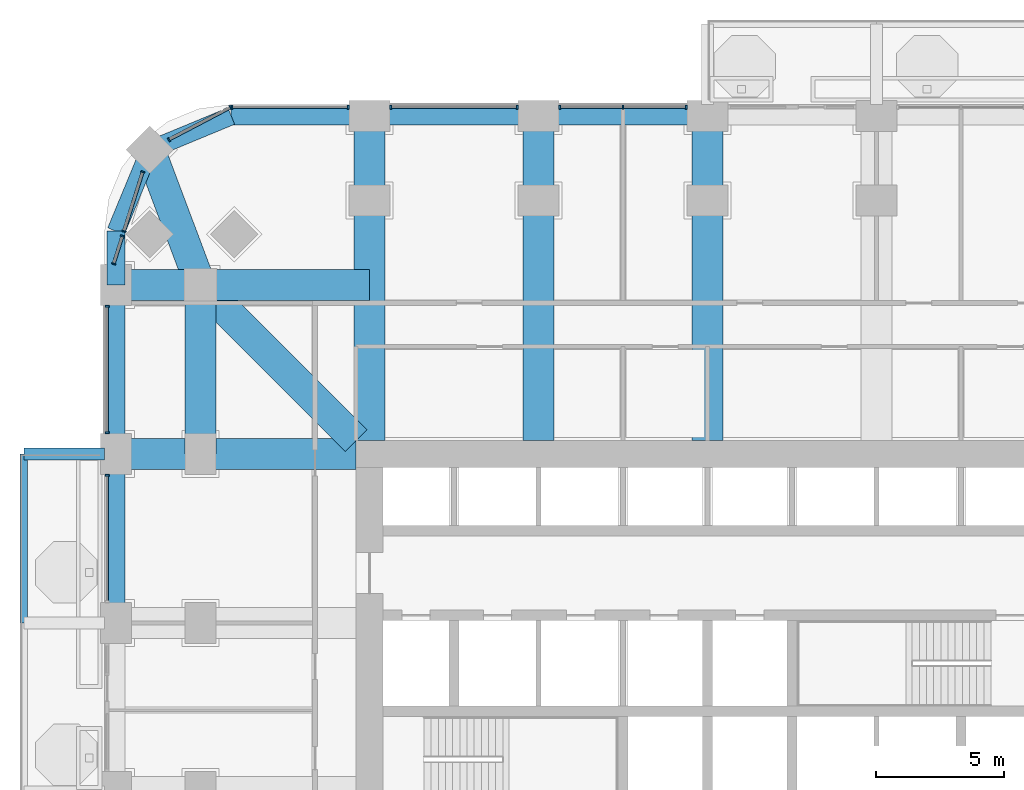
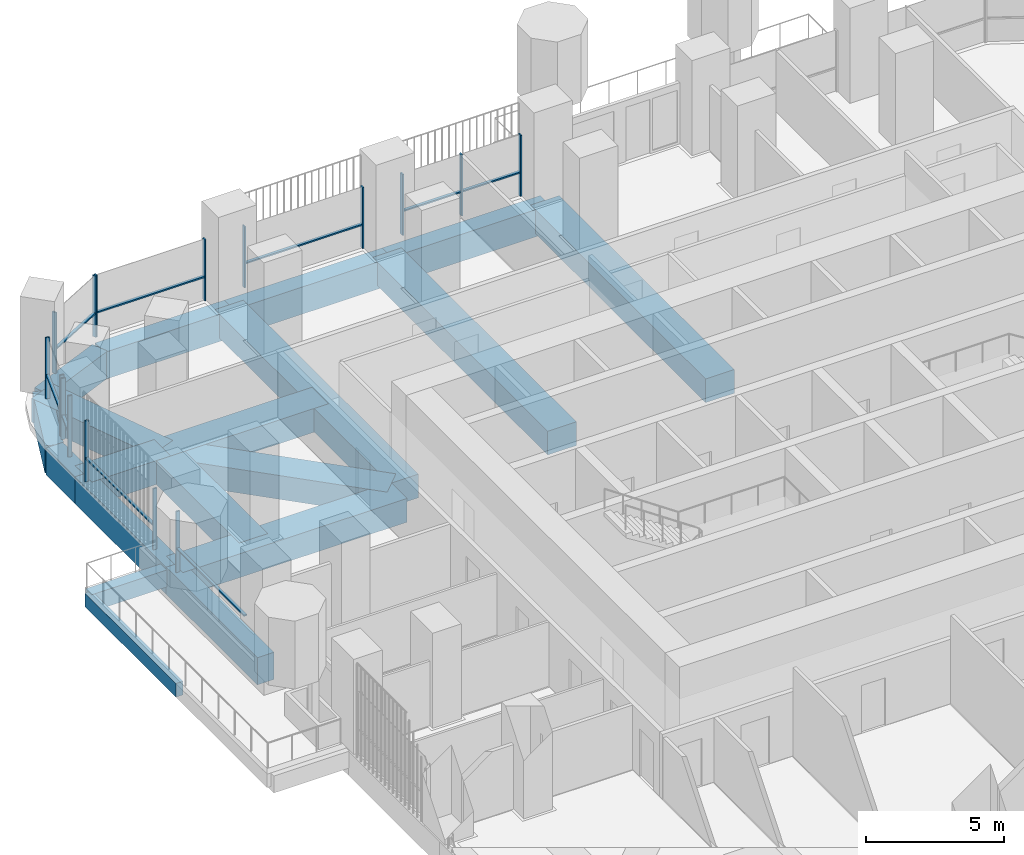
# One storey, part 6 of 22: 25 members, 19 beams, 8 elements without a shape of their own.
"""IFC4 building model written with IfcOpenShell, lengths in metres."""

from ifc_helpers import new_model, si_unit, direction, frame, origin, origin_2d, place, context, subcontext, project, spatial, rectangle, extrude, material, material_profile, profile_set, type_object, element, aggregate, save


model = new_model("IFC4")

# Units and contexts
model_context = context("Model", 3, precision=1e-05, world=origin(), true_north=direction((0.0, 1.0)))
body_context = subcontext(model_context, "Body", "Model", "MODEL_VIEW")
ifc_project = project(units=[si_unit("LENGTHUNIT", "METRE"), si_unit("AREAUNIT", "SQUARE_METRE"), si_unit("VOLUMEUNIT", "CUBIC_METRE"), si_unit("PLANEANGLEUNIT", "RADIAN"), si_unit("MASSUNIT", "GRAM", prefix="KILO")], contexts=[model_context])

# Site, building, storey
site_placement = place(None, origin())
site = spatial("IfcSite", under=ifc_project, at=site_placement, CompositionType="ELEMENT")
building_placement = place(site_placement, origin())
building = spatial("IfcBuilding", under=site, at=building_placement, Name="Cobogo Forest Laboratory Tower", CompositionType="ELEMENT")
storey_placement = place(building_placement, frame((0.0, 0.0, 94.800048828125)))
storey = spatial("IfcBuildingStorey", under=building, at=storey_placement, Name="L21", CompositionType="ELEMENT", Elevation=94.800048828125)

# Beams
ifc_material_1 = material(Name="Concrete HA-40 (C40/50)", Category="concrete")
ifc_material_profile_1 = material_profile(ifc_material_1, rectangle(XDim=0.449951171875, YDim=0.75, at=origin_2d()), Name="RC 450x750")
ifc_profile_set_1 = profile_set([ifc_material_profile_1], Name="Concrete HA-40 (C40/50)")
beam_type_1 = type_object("IfcBeamType", Name="Balcony cantilever beam 450x750", PredefinedType="BEAM", material=ifc_profile_set_1)
beam_1_placement = place(storey_placement, frame((2.85009765625, 33.0, -0.625), z_axis=(-1.0, 0.0, 0.0), x_axis=(0.0, -1.0, 0.0)))
element("IfcBeam", 1, at=beam_1_placement, inside=storey, type_object=beam_type_1, Name="CB1 BAL-W1-C3 L21", PredefinedType="BEAM", context=body_context, shape_type="SweptSolid", body=[
    extrude(rectangle(XDim=0.449951171875, YDim=0.75, at=origin_2d()), origin(), (0.0, 0.0, 1.0), 3.150146484375),
])
ifc_material_profile_2 = material_profile(ifc_material_1, rectangle(XDim=0.300048828125, YDim=0.60009765625, at=origin_2d()), Name="RC 300x600")
ifc_profile_set_2 = profile_set([ifc_material_profile_2], Name="Concrete HA-40 (C40/50)")
beam_type_2 = type_object("IfcBeamType", Name="Balcony edge beam 300x600", PredefinedType="BEAM", material=ifc_profile_set_2)
beam_2_placement = place(storey_placement, frame((-0.300048828125, 26.39990234375, -0.550048828125), z_axis=(0.0, 1.0, 0.0), x_axis=(-1.0, 0.0, 0.0)))
element("IfcBeam", 2, at=beam_2_placement, inside=storey, type_object=beam_type_2, Name="BB1 BAL-W1-T2 L21", PredefinedType="BEAM", context=body_context, shape_type="SweptSolid", body=[
    extrude(rectangle(XDim=0.300048828125, YDim=0.60009765625, at=origin_2d()), origin(), (0.0, 0.0, 1.0), 6.60009765625),
])
ifc_material_profile_3 = material_profile(ifc_material_1, rectangle(XDim=1.199951171875, YDim=1.050048828125, at=origin_2d()), Name="RC 1200x1050")
ifc_profile_set_3 = profile_set([ifc_material_profile_3], Name="Concrete HA-40 (C40/50)")
beam_type_3 = type_object("IfcBeamType", Name="Laboratory floor wide beam 1200x1050", PredefinedType="BEAM", material=ifc_profile_set_3)
for number, where, z_axis, x_axis, name in (
    (3, (13.199951171875, 33.52490234375, -0.824951171875), (0.0, 1.0, 0.0), (-1.0, 0.0, 0.0), "RB1 R-3-N L21"),
    (4, (19.800048828125, 33.52490234375, -0.824951171875), (0.0, 1.0, 0.0), (-1.0, 0.0, 0.0), "RB1 R-4-N L21"),
    (5, (26.39990234375, 33.52490234375, -0.824951171875), (0.0, 1.0, 0.0), (-1.0, 0.0, 0.0), "RB1 R-5-N L21"),
):
    element("IfcBeam", number, at=place(storey_placement, frame(where, z_axis=z_axis, x_axis=x_axis)), inside=storey, type_object=beam_type_3, Name=name, PredefinedType="BEAM", context=body_context, shape_type="SweptSolid", body=[
        extrude(rectangle(XDim=1.199951171875, YDim=1.050048828125, at=origin_2d()), origin(), (0.0, 0.0, 1.0), 12.675048828125),
    ])
beam_3_placement = place(storey_placement, frame((12.675048828125, 33.0, -0.824951171875), z_axis=(-1.0, 0.0, 0.0), x_axis=(0.0, -1.0, 0.0)))
element("IfcBeam", 6, at=beam_3_placement, inside=storey, type_object=beam_type_3, Name="RB1 R-F-W L21", PredefinedType="BEAM", context=body_context, shape_type="SweptSolid", body=[
    extrude(rectangle(XDim=1.199951171875, YDim=1.050048828125, at=origin_2d()), origin(), (0.0, 0.0, 1.0), 9.375),
])
beam_4_placement = place(storey_placement, frame((6.60009765625, 39.60009765625, -0.824951171875), z_axis=(0.0, -1.0, 0.0), x_axis=(1.0, 0.0, 0.0)))
element("IfcBeam", 7, at=beam_4_placement, inside=storey, type_object=beam_type_3, Name="RB1 G-NW-XC L21", PredefinedType="BEAM", context=body_context, shape_type="SweptSolid", body=[
    extrude(rectangle(XDim=1.199951171875, YDim=1.050048828125, at=origin_2d()), origin(), (0.0, 0.0, 1.0), 6.60009765625),
])
beam_5_placement = place(storey_placement, frame((3.300048828125, 39.60009765625, -0.824951171875), z_axis=(1.0, 0.0, 0.0), x_axis=(0.0, 1.0, 0.0)))
element("IfcBeam", 8, at=beam_5_placement, inside=storey, type_object=beam_type_3, Name="RB1 G-NW-YF L21", PredefinedType="BEAM", context=body_context, shape_type="SweptSolid", body=[
    extrude(rectangle(XDim=1.199951171875, YDim=1.050048828125, at=origin_2d()), origin(), (0.0, 0.0, 1.0), 3.300048828125),
])
beam_6_placement = place(storey_placement, frame((6.60009765625, 39.60009765625, -0.824951171875), z_axis=(1.0, 0.0, 0.0), x_axis=(0.0, 1.0, 0.0)))
element("IfcBeam", 9, at=beam_6_placement, inside=storey, type_object=beam_type_3, Name="RB1 G-NW-YC L21", PredefinedType="BEAM", context=body_context, shape_type="SweptSolid", body=[
    extrude(rectangle(XDim=1.199951171875, YDim=1.050048828125, at=origin_2d()), origin(), (0.0, 0.0, 1.0), 6.599853515625),
])
beam_7_placement = place(storey_placement, frame((4.617919921875, 44.882080078125, -0.824951171875), z_axis=(0.351346325373, -0.936245565889, 0.0), x_axis=(0.936245565889, 0.351346325373, 0.0)))
element("IfcBeam", 10, at=beam_7_placement, inside=storey, type_object=beam_type_3, Name="RB1 G-NW-D1 L21", PredefinedType="BEAM", context=body_context, shape_type="SweptSolid", body=[
    extrude(rectangle(XDim=1.199951171875, YDim=1.050048828125, at=origin_2d()), origin(), (0.0, 0.0, 1.0), 5.6416015625),
])
beam_8_placement = place(storey_placement, frame((6.60009765625, 39.60009765625, -0.824951171875), z_axis=(0.707092572697, -0.70712098939, 0.0), x_axis=(0.70712098939, 0.707092572697, 0.0)))
element("IfcBeam", 11, at=beam_8_placement, inside=storey, type_object=beam_type_3, Name="RB1 G-NW-D2 L21", PredefinedType="BEAM", context=body_context, shape_type="SweptSolid", body=[
    extrude(rectangle(XDim=1.199951171875, YDim=1.050048828125, at=origin_2d()), origin(), (0.0, 0.0, 1.0), 8.591552734375),
])

# Curtain wall, members
ifc_material_2 = material(Name="Aluminium curtain wall", Category="aluminium")
curtain_wall_type = type_object("IfcCurtainWallType", Name="CW-1 unitised curtain wall, clear glazing, laboratory floors zones A and B", PredefinedType="USERDEFINED", material=ifc_material_2)
curtain_wall_1_placement = place(storey_placement, origin())
curtain_wall_1 = element("IfcCurtainWall", 12, at=curtain_wall_1_placement, inside=storey, type_object=curtain_wall_type, Name="Curtain wall 21 L21", ObjectType="UNITISED CURTAIN WALL", PredefinedType="USERDEFINED")
ifc_material_3 = material(Name="Aluminium mullion", Category="aluminium")
ifc_material_profile_4 = material_profile(ifc_material_3, rectangle(XDim=0.06005859375, YDim=0.159912109375, at=origin_2d()), Name="AL 60x160")
ifc_profile_set_4 = profile_set([ifc_material_profile_4], Name="Aluminium mullion")
member_type_1 = type_object("IfcMemberType", Name="MU-1 aluminium mullion 60x160", PredefinedType="MULLION", material=ifc_profile_set_4)
member_1_placement = place(storey_placement, frame((25.570068359375, 46.550048828125, 0.0), z_axis=(0.0, 0.0, 1.0), x_axis=(-1.0, 0.0, 0.0)))
member_1 = element("IfcMember", 13, at=member_1_placement, type_object=member_type_1, Name="CW-1 mullion 1", PredefinedType="MULLION", context=body_context, shape_type="SweptSolid", body=[
    extrude(rectangle(XDim=0.06005859375, YDim=0.159912109375, at=origin_2d()), origin(), (0.0, 0.0, 1.0), 2.699951171875),
])
member_2_placement = place(storey_placement, frame((23.10009765625, 46.550048828125, 0.0), z_axis=(0.0, 0.0, 1.0), x_axis=(-1.0, 0.0, 0.0)))
member_2 = element("IfcMember", 14, at=member_2_placement, type_object=member_type_1, Name="CW-1 mullion 2", PredefinedType="MULLION", context=body_context, shape_type="SweptSolid", body=[
    extrude(rectangle(XDim=0.06005859375, YDim=0.159912109375, at=origin_2d()), origin(), (0.0, 0.0, 1.0), 2.699951171875),
])
member_3_placement = place(storey_placement, frame((20.6298828125, 46.550048828125, 0.0), z_axis=(0.0, 0.0, 1.0), x_axis=(-1.0, 0.0, 0.0)))
member_3 = element("IfcMember", 15, at=member_3_placement, type_object=member_type_1, Name="CW-1 mullion 3", PredefinedType="MULLION", context=body_context, shape_type="SweptSolid", body=[
    extrude(rectangle(XDim=0.06005859375, YDim=0.159912109375, at=origin_2d()), origin(), (0.0, 0.0, 1.0), 2.699951171875),
])

curtain_wall_2_placement = place(storey_placement, origin())
curtain_wall_2 = element("IfcCurtainWall", 16, at=curtain_wall_2_placement, inside=storey, type_object=curtain_wall_type, Name="Curtain wall 22 L21", ObjectType="UNITISED CURTAIN WALL", PredefinedType="USERDEFINED")
member_4_placement = place(storey_placement, frame((18.969970703125, 46.550048828125, 0.0), z_axis=(0.0, 0.0, 1.0), x_axis=(-1.0, 0.0, 0.0)))
member_4 = element("IfcMember", 17, at=member_4_placement, type_object=member_type_1, Name="CW-1 mullion 1", PredefinedType="MULLION", context=body_context, shape_type="SweptSolid", body=[
    extrude(rectangle(XDim=0.06005859375, YDim=0.159912109375, at=origin_2d()), origin(), (0.0, 0.0, 1.0), 2.699951171875),
])
member_5_placement = place(storey_placement, frame((14.030029296875, 46.550048828125, 0.0), z_axis=(0.0, 0.0, 1.0), x_axis=(-1.0, 0.0, 0.0)))
member_5 = element("IfcMember", 18, at=member_5_placement, type_object=member_type_1, Name="CW-1 mullion 2", PredefinedType="MULLION", context=body_context, shape_type="SweptSolid", body=[
    extrude(rectangle(XDim=0.06005859375, YDim=0.159912109375, at=origin_2d()), origin(), (0.0, 0.0, 1.0), 2.699951171875),
])

curtain_wall_3_placement = place(storey_placement, origin())
curtain_wall_3 = element("IfcCurtainWall", 19, at=curtain_wall_3_placement, inside=storey, type_object=curtain_wall_type, Name="Curtain wall 23 L21", ObjectType="UNITISED CURTAIN WALL", PredefinedType="USERDEFINED")
member_6_placement = place(storey_placement, frame((12.3701171875, 46.550048828125, 0.0), z_axis=(0.0, 0.0, 1.0), x_axis=(-1.0, 0.0, 0.0)))
member_6 = element("IfcMember", 20, at=member_6_placement, type_object=member_type_1, Name="CW-1 mullion 1", PredefinedType="MULLION", context=body_context, shape_type="SweptSolid", body=[
    extrude(rectangle(XDim=0.06005859375, YDim=0.159912109375, at=origin_2d()), origin(), (0.0, 0.0, 1.0), 2.699951171875),
])
member_7_placement = place(storey_placement, frame((7.830078125, 46.550048828125, 0.0), z_axis=(0.0, 0.0, 1.0), x_axis=(-1.0, 0.0, 0.0)))
member_7 = element("IfcMember", 21, at=member_7_placement, type_object=member_type_1, Name="CW-1 mullion 2", PredefinedType="MULLION", context=body_context, shape_type="SweptSolid", body=[
    extrude(rectangle(XDim=0.06005859375, YDim=0.159912109375, at=origin_2d()), origin(), (0.0, 0.0, 1.0), 2.699951171875),
])

curtain_wall_4_placement = place(storey_placement, origin())
curtain_wall_4 = element("IfcCurtainWall", 22, at=curtain_wall_4_placement, inside=storey, type_object=curtain_wall_type, Name="Curtain wall 24 L21", ObjectType="UNITISED CURTAIN WALL", PredefinedType="USERDEFINED")
member_8_placement = place(storey_placement, frame((7.7734375, 46.5361328125, 0.0), z_axis=(0.0, 0.0, 1.0), x_axis=(-0.885686547075, -0.464283685186, 0.0)))
member_8 = element("IfcMember", 23, at=member_8_placement, type_object=member_type_1, Name="CW-1 mullion 1", PredefinedType="MULLION", context=body_context, shape_type="SweptSolid", body=[
    extrude(rectangle(XDim=0.06005859375, YDim=0.159912109375, at=origin_2d()), origin(), (0.0, 0.0, 1.0), 2.699951171875),
])
member_9_placement = place(storey_placement, frame((5.368408203125, 45.275390625, 0.0), z_axis=(0.0, 0.0, 1.0), x_axis=(-0.885686547075, -0.464283685186, 0.0)))
member_9 = element("IfcMember", 24, at=member_9_placement, type_object=member_type_1, Name="CW-1 mullion 2", PredefinedType="MULLION", context=body_context, shape_type="SweptSolid", body=[
    extrude(rectangle(XDim=0.06005859375, YDim=0.159912109375, at=origin_2d()), origin(), (0.0, 0.0, 1.0), 2.699951171875),
])

curtain_wall_5_placement = place(storey_placement, origin())
curtain_wall_5 = element("IfcCurtainWall", 25, at=curtain_wall_5_placement, inside=storey, type_object=curtain_wall_type, Name="Curtain wall 25 L21", ObjectType="UNITISED CURTAIN WALL", PredefinedType="USERDEFINED")
member_10_placement = place(storey_placement, frame((4.34423828125, 44.01513671875, 0.0), z_axis=(0.0, 0.0, 1.0), x_axis=(-0.301135291996, -0.953581425949, 0.0)))
member_10 = element("IfcMember", 26, at=member_10_placement, type_object=member_type_1, Name="CW-1 mullion 1", PredefinedType="MULLION", context=body_context, shape_type="SweptSolid", body=[
    extrude(rectangle(XDim=0.06005859375, YDim=0.159912109375, at=origin_2d()), origin(), (0.0, 0.0, 1.0), 2.699951171875),
])
member_11_placement = place(storey_placement, frame((3.613037109375, 41.69970703125, 0.0), z_axis=(0.0, 0.0, 1.0), x_axis=(-0.301135291996, -0.953581425949, 0.0)))
member_11 = element("IfcMember", 27, at=member_11_placement, type_object=member_type_1, Name="CW-1 mullion 2", PredefinedType="MULLION", context=body_context, shape_type="SweptSolid", body=[
    extrude(rectangle(XDim=0.06005859375, YDim=0.159912109375, at=origin_2d()), origin(), (0.0, 0.0, 1.0), 2.699951171875),
])

curtain_wall_6_placement = place(storey_placement, origin())
curtain_wall_6 = element("IfcCurtainWall", 28, at=curtain_wall_6_placement, inside=storey, type_object=curtain_wall_type, Name="Curtain wall 26 L21", ObjectType="UNITISED CURTAIN WALL", PredefinedType="USERDEFINED")
member_12_placement = place(storey_placement, frame((3.55224609375, 41.507080078125, 0.0), z_axis=(0.0, 0.0, 1.0), x_axis=(-0.301135667865, -0.953581307252, 0.0)))
member_12 = element("IfcMember", 29, at=member_12_placement, type_object=member_type_1, Name="CW-1 mullion 1", PredefinedType="MULLION", context=body_context, shape_type="SweptSolid", body=[
    extrude(rectangle(XDim=0.06005859375, YDim=0.159912109375, at=origin_2d()), origin(), (0.0, 0.0, 1.0), 2.699951171875),
])
member_13_placement = place(storey_placement, frame((3.211669921875, 40.4287109375, 0.0), z_axis=(0.0, 0.0, 1.0), x_axis=(-0.301135667865, -0.953581307252, 0.0)))
member_13 = element("IfcMember", 30, at=member_13_placement, type_object=member_type_1, Name="CW-1 mullion 2", PredefinedType="MULLION", context=body_context, shape_type="SweptSolid", body=[
    extrude(rectangle(XDim=0.06005859375, YDim=0.159912109375, at=origin_2d()), origin(), (0.0, 0.0, 1.0), 2.699951171875),
])

curtain_wall_7_placement = place(storey_placement, origin())
curtain_wall_7 = element("IfcCurtainWall", 31, at=curtain_wall_7_placement, inside=storey, type_object=curtain_wall_type, Name="Curtain wall 27 L21", ObjectType="UNITISED CURTAIN WALL", PredefinedType="USERDEFINED")
member_14_placement = place(storey_placement, frame((2.949951171875, 38.77001953125, 0.0), z_axis=(0.0, 0.0, 1.0), x_axis=(0.0, -1.0, 0.0)))
member_14 = element("IfcMember", 32, at=member_14_placement, type_object=member_type_1, Name="CW-1 mullion 1", PredefinedType="MULLION", context=body_context, shape_type="SweptSolid", body=[
    extrude(rectangle(XDim=0.06005859375, YDim=0.159912109375, at=origin_2d()), origin(), (0.0, 0.0, 1.0), 2.699951171875),
])
member_15_placement = place(storey_placement, frame((2.949951171875, 33.830078125, 0.0), z_axis=(0.0, 0.0, 1.0), x_axis=(0.0, -1.0, 0.0)))
member_15 = element("IfcMember", 33, at=member_15_placement, type_object=member_type_1, Name="CW-1 mullion 2", PredefinedType="MULLION", context=body_context, shape_type="SweptSolid", body=[
    extrude(rectangle(XDim=0.06005859375, YDim=0.159912109375, at=origin_2d()), origin(), (0.0, 0.0, 1.0), 2.699951171875),
])

# Curtain wall, member
curtain_wall_8_placement = place(storey_placement, origin())
curtain_wall_8 = element("IfcCurtainWall", 34, at=curtain_wall_8_placement, inside=storey, type_object=curtain_wall_type, Name="Curtain wall 28 L21", ObjectType="UNITISED CURTAIN WALL", PredefinedType="USERDEFINED")
member_16_placement = place(storey_placement, frame((2.949951171875, 32.169921875, 0.0), z_axis=(0.0, 0.0, 1.0), x_axis=(0.0, -1.0, 0.0)))
member_16 = element("IfcMember", 35, at=member_16_placement, type_object=member_type_1, Name="CW-1 mullion 1", PredefinedType="MULLION", context=body_context, shape_type="SweptSolid", body=[
    extrude(rectangle(XDim=0.06005859375, YDim=0.159912109375, at=origin_2d()), origin(), (0.0, 0.0, 1.0), 2.699951171875),
])

# Beams
ifc_material_profile_5 = material_profile(ifc_material_1, rectangle(XDim=0.699951171875, YDim=1.199951171875, at=origin_2d()), Name="RC 700x1200")
ifc_profile_set_5 = profile_set([ifc_material_profile_5], Name="Concrete HA-40 (C40/50)")
beam_type_4 = type_object("IfcBeamType", Name="Perimeter edge beam 700x1200", PredefinedType="BEAM", material=ifc_profile_set_5)
beam_9_placement = place(storey_placement, frame((13.199951171875, 46.199951171875, -0.900146484375), z_axis=(1.0, 0.0, 0.0), x_axis=(0.0, 1.0, 0.0)))
element("IfcBeam", 36, at=beam_9_placement, inside=storey, type_object=beam_type_4, Name="EB1 E-N1 L21", PredefinedType="BEAM", context=body_context, shape_type="SweptSolid", body=[
    extrude(rectangle(XDim=0.699951171875, YDim=1.199951171875, at=origin_2d()), origin(), (0.0, 0.0, 1.0), 6.60009765625),
])
beam_10_placement = place(storey_placement, frame((19.800048828125, 46.199951171875, -0.900146484375), z_axis=(1.0, 0.0, 0.0), x_axis=(0.0, 1.0, 0.0)))
element("IfcBeam", 37, at=beam_10_placement, inside=storey, type_object=beam_type_4, Name="EB1 E-N2 L21", PredefinedType="BEAM", context=body_context, shape_type="SweptSolid", body=[
    extrude(rectangle(XDim=0.699951171875, YDim=1.199951171875, at=origin_2d()), origin(), (0.0, 0.0, 1.0), 6.599853515625),
])
for number, where, z_axis, x_axis, name in (
    (38, (3.300048828125, 26.39990234375, -0.900146484375), (0.0, 1.0, 0.0), (-1.0, 0.0, 0.0), "EB1 E-W4 L21"),
    (39, (3.300048828125, 33.0, -0.900146484375), (0.0, 1.0, 0.0), (-1.0, 0.0, 0.0), "EB1 E-W5 L21"),
):
    element("IfcBeam", number, at=place(storey_placement, frame(where, z_axis=z_axis, x_axis=x_axis)), inside=storey, type_object=beam_type_4, Name=name, PredefinedType="BEAM", context=body_context, shape_type="SweptSolid", body=[
        extrude(rectangle(XDim=0.699951171875, YDim=1.199951171875, at=origin_2d()), origin(), (0.0, 0.0, 1.0), 6.60009765625),
    ])
beam_11_placement = place(storey_placement, frame((13.199951171875, 46.199951171875, -0.900146484375), z_axis=(-1.0, 0.0, 0.0), x_axis=(0.0, -1.0, 0.0)))
element("IfcBeam", 40, at=beam_11_placement, inside=storey, type_object=beam_type_4, Name="EB1 E-NWN1 L21", PredefinedType="BEAM", context=body_context, shape_type="SweptSolid", body=[
    extrude(rectangle(XDim=0.699951171875, YDim=1.199951171875, at=origin_2d()), origin(), (0.0, 0.0, 1.0), 5.39990234375),
])
beam_12_placement = place(storey_placement, frame((7.800048828125, 46.199951171875, -0.900146484375), z_axis=(-0.923901072997, -0.382631424892, 0.0), x_axis=(0.382631424892, -0.923901072997, 0.0)))
element("IfcBeam", 41, at=beam_12_placement, inside=storey, type_object=beam_type_4, Name="EB1 E-NWN2 L21", PredefinedType="BEAM", context=body_context, shape_type="SweptSolid", body=[
    extrude(rectangle(XDim=0.699951171875, YDim=1.199951171875, at=origin_2d()), origin(), (0.0, 0.0, 1.0), 3.4443359375),
])
beam_13_placement = place(storey_placement, frame((3.300048828125, 39.60009765625, -0.900146484375), z_axis=(0.0, 1.0, 0.0), x_axis=(-1.0, 0.0, 0.0)))
element("IfcBeam", 42, at=beam_13_placement, inside=storey, type_object=beam_type_4, Name="EB1 E-NWW1 L21", PredefinedType="BEAM", context=body_context, shape_type="SweptSolid", body=[
    extrude(rectangle(XDim=0.699951171875, YDim=1.199951171875, at=origin_2d()), origin(), (0.0, 0.0, 1.0), 2.099853515625),
])
beam_14_placement = place(storey_placement, frame((3.300048828125, 41.699951171875, -0.900146484375), z_axis=(0.382631424892, 0.923901072997, 0.0), x_axis=(-0.923901072997, 0.382631424892, 0.0)))
element("IfcBeam", 43, at=beam_14_placement, inside=storey, type_object=beam_type_4, Name="EB1 E-NWW2 L21", PredefinedType="BEAM", context=body_context, shape_type="SweptSolid", body=[
    extrude(rectangle(XDim=0.699951171875, YDim=1.199951171875, at=origin_2d()), origin(), (0.0, 0.0, 1.0), 3.4443359375),
])

# Member
ifc_material_4 = material(Name="Aluminium transom", Category="aluminium")
ifc_material_profile_6 = material_profile(ifc_material_4, rectangle(XDim=0.1201171875, YDim=0.06005859375, at=origin_2d()), Name="AL 60x120")
ifc_profile_set_6 = profile_set([ifc_material_profile_6], Name="Aluminium transom")
member_type_2 = type_object("IfcMemberType", Name="TR-1 aluminium transom 60x120", PredefinedType="USERDEFINED", material=ifc_profile_set_6)
member_17_placement = place(storey_placement, frame((25.5400390625, 46.550048828125, 1.050048828125), z_axis=(-1.0, 0.0, 0.0), x_axis=(0.0, -1.0, 0.0)))
member_17 = element("IfcMember", 44, at=member_17_placement, type_object=member_type_2, Name="CW-1 transom 1.1", ObjectType="TRANSOM", PredefinedType="USERDEFINED", context=body_context, shape_type="SweptSolid", body=[
    extrude(rectangle(XDim=0.1201171875, YDim=0.06005859375, at=origin_2d()), origin(), (0.0, 0.0, 1.0), 2.41015625),
])

member_18_placement = place(storey_placement, frame((23.070068359375, 46.550048828125, 1.050048828125), z_axis=(-1.0, 0.0, 0.0), x_axis=(0.0, -1.0, 0.0)))
member_18 = element("IfcMember", 45, at=member_18_placement, type_object=member_type_2, Name="CW-1 transom 2.1", ObjectType="TRANSOM", PredefinedType="USERDEFINED", context=body_context, shape_type="SweptSolid", body=[
    extrude(rectangle(XDim=0.1201171875, YDim=0.06005859375, at=origin_2d()), origin(), (0.0, 0.0, 1.0), 2.41015625),
])

aggregate(curtain_wall_1, [member_1, member_2, member_3, member_17, member_18])

member_19_placement = place(storey_placement, frame((18.93994140625, 46.550048828125, 1.050048828125), z_axis=(-1.0, 0.0, 0.0), x_axis=(0.0, -1.0, 0.0)))
member_19 = element("IfcMember", 46, at=member_19_placement, type_object=member_type_2, Name="CW-1 transom 1.1", ObjectType="TRANSOM", PredefinedType="USERDEFINED", context=body_context, shape_type="SweptSolid", body=[
    extrude(rectangle(XDim=0.1201171875, YDim=0.06005859375, at=origin_2d()), origin(), (0.0, 0.0, 1.0), 4.8798828125),
])

aggregate(curtain_wall_2, [member_4, member_5, member_19])

member_20_placement = place(storey_placement, frame((12.340087890625, 46.550048828125, 1.050048828125), z_axis=(-1.0, 0.0, 0.0), x_axis=(0.0, -1.0, 0.0)))
member_20 = element("IfcMember", 47, at=member_20_placement, type_object=member_type_2, Name="CW-1 transom 1.1", ObjectType="TRANSOM", PredefinedType="USERDEFINED", context=body_context, shape_type="SweptSolid", body=[
    extrude(rectangle(XDim=0.1201171875, YDim=0.06005859375, at=origin_2d()), origin(), (0.0, 0.0, 1.0), 4.47998046875),
])

aggregate(curtain_wall_3, [member_6, member_7, member_20])

member_21_placement = place(storey_placement, frame((7.746826171875, 46.522216796875, 1.050048828125), z_axis=(-0.885694740493, -0.464268054753, 0.0), x_axis=(0.464268054753, -0.885694740493, 0.0)))
member_21 = element("IfcMember", 48, at=member_21_placement, type_object=member_type_2, Name="CW-1 transom 1.1", ObjectType="TRANSOM", PredefinedType="USERDEFINED", context=body_context, shape_type="SweptSolid", body=[
    extrude(rectangle(XDim=0.1201171875, YDim=0.06005859375, at=origin_2d()), origin(), (0.0, 0.0, 1.0), 2.655517578125),
])

aggregate(curtain_wall_4, [member_8, member_9, member_21])

member_22_placement = place(storey_placement, frame((4.335205078125, 43.986328125, 1.050048828125), z_axis=(-0.301156039198, -0.953574873859, 0.0), x_axis=(0.953574873859, -0.301156039198, 0.0)))
member_22 = element("IfcMember", 49, at=member_22_placement, type_object=member_type_2, Name="CW-1 transom 1.1", ObjectType="TRANSOM", PredefinedType="USERDEFINED", context=body_context, shape_type="SweptSolid", body=[
    extrude(rectangle(XDim=0.1201171875, YDim=0.06005859375, at=origin_2d()), origin(), (0.0, 0.0, 1.0), 2.367919921875),
])

aggregate(curtain_wall_5, [member_10, member_11, member_22])

member_23_placement = place(storey_placement, frame((3.543212890625, 41.478515625, 1.050048828125), z_axis=(-0.3011422781, -0.953579219751, 0.0), x_axis=(0.953579219751, -0.3011422781, 0.0)))
member_23 = element("IfcMember", 50, at=member_23_placement, type_object=member_type_2, Name="CW-1 transom 1.1", ObjectType="TRANSOM", PredefinedType="USERDEFINED", context=body_context, shape_type="SweptSolid", body=[
    extrude(rectangle(XDim=0.1201171875, YDim=0.06005859375, at=origin_2d()), origin(), (0.0, 0.0, 1.0), 1.071044921875),
])

aggregate(curtain_wall_6, [member_12, member_13, member_23])

member_24_placement = place(storey_placement, frame((2.949951171875, 38.739990234375, 1.050048828125), z_axis=(0.0, -1.0, 0.0), x_axis=(1.0, 0.0, 0.0)))
member_24 = element("IfcMember", 51, at=member_24_placement, type_object=member_type_2, Name="CW-1 transom 1.1", ObjectType="TRANSOM", PredefinedType="USERDEFINED", context=body_context, shape_type="SweptSolid", body=[
    extrude(rectangle(XDim=0.1201171875, YDim=0.06005859375, at=origin_2d()), origin(), (0.0, 0.0, 1.0), 4.8798828125),
])

aggregate(curtain_wall_7, [member_14, member_15, member_24])

member_25_placement = place(storey_placement, frame((2.949951171875, 32.139892578125, 1.050048828125), z_axis=(0.0, -1.0, 0.0), x_axis=(1.0, 0.0, 0.0)))
member_25 = element("IfcMember", 52, at=member_25_placement, type_object=member_type_2, Name="CW-1 transom 1.1", ObjectType="TRANSOM", PredefinedType="USERDEFINED", context=body_context, shape_type="SweptSolid", body=[
    extrude(rectangle(XDim=0.1201171875, YDim=0.06005859375, at=origin_2d()), origin(), (0.0, 0.0, 1.0), 4.8798828125),
])

aggregate(curtain_wall_8, [member_16, member_25])

save(model, "model.ifc")
